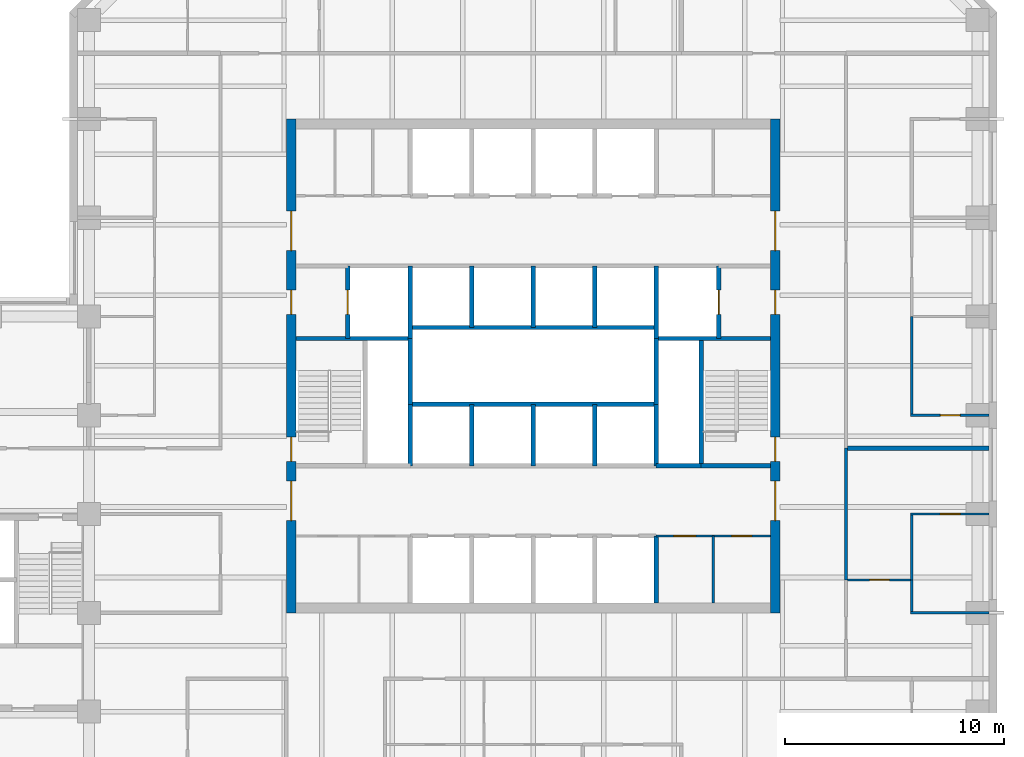
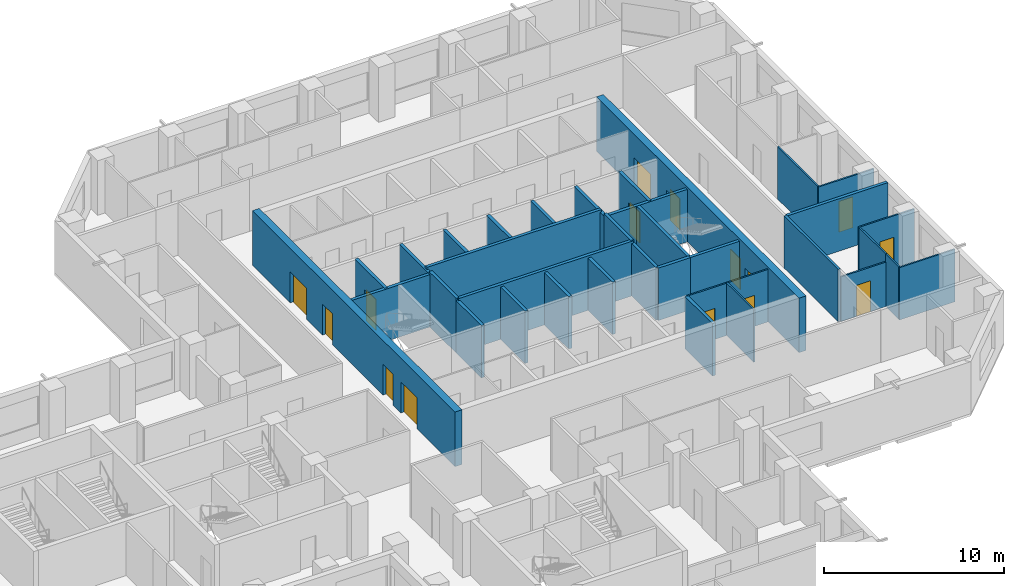
# One storey, part 7 of 11: 35 walls, 15 doors, 15 openings.
"""IFC4 building model written with IfcOpenShell, lengths in metres."""

from ifc_helpers import new_model, si_unit, direction, frame, frame_2d, origin, place, context, subcontext, project, spatial, rectangle, extrude, material, layer, layer_set, type_object, element, fill, save


model = new_model("IFC4")

# Units and contexts
model_context = context("Model", 3, precision=1e-05, world=origin(), true_north=direction((0.0, 1.0)))
body_context = subcontext(model_context, "Body", "Model", "MODEL_VIEW")
ifc_project = project(units=[si_unit("LENGTHUNIT", "METRE"), si_unit("AREAUNIT", "SQUARE_METRE"), si_unit("VOLUMEUNIT", "CUBIC_METRE"), si_unit("PLANEANGLEUNIT", "RADIAN"), si_unit("MASSUNIT", "GRAM", prefix="KILO")], contexts=[model_context])

# Site, building, storey
site_placement = place(None, origin())
site = spatial("IfcSite", under=ifc_project, at=site_placement, CompositionType="ELEMENT")
building_placement = place(site_placement, origin())
building = spatial("IfcBuilding", under=site, at=building_placement, Name="Quoin Convention Tower", CompositionType="ELEMENT")
storey_placement = place(building_placement, frame((0.0, 0.0, 108.5)))
storey = spatial("IfcBuildingStorey", under=building, at=storey_placement, Name="L28", CompositionType="ELEMENT", Elevation=108.5)

# Wall, openings, doors
ifc_material_1 = material(Name="Plasterboard")
ifc_layer_1 = layer(ifc_material_1, 0.012451171875, Name="Finish")
ifc_material_2 = material(Name="Steel stud framing", Category="steel")
ifc_layer_2 = layer(ifc_material_2, 0.074951171875, Name="Structure")
ifc_layer_3 = layer(ifc_material_1, 0.012451171875, Name="Finish")
ifc_layer_set_1 = layer_set([ifc_layer_1, ifc_layer_2, ifc_layer_3], Name="Steel stud framing")
wall_type_1 = type_object("IfcWallType", Name="Core partition wall", PredefinedType="PARTITIONING", material=ifc_layer_set_1)
wall_1_placement = place(storey_placement, frame((61.85009765625, 53.0, 0.0), z_axis=(0.0, 0.0, 1.0), x_axis=(1.0, 0.0, 0.0)))
wall_1 = element("IfcWall", 1, at=wall_1_placement, inside=storey, type_object=wall_type_1, Name="cr-C1-L28-h3500_16850", PredefinedType="PARTITIONING", context=body_context, shape_type="SweptSolid", body=[
    extrude(rectangle(XDim=5.199951171875, YDim=0.10009765625, at=frame_2d((2.60009765625, 0.0))), origin(), (0.0, 0.0, 1.0), 3.550048828125),
])
opening_1_placement = place(wall_1_placement, frame((3.449951171875, 0.0, 0.0)))
opening_1 = element("IfcOpeningElement", 2, at=opening_1_placement, cuts=wall_1, Name="Opening DCV4-24", PredefinedType="OPENING", context=body_context, shape_type="SweptSolid", body=[
    extrude(rectangle(XDim=0.89990234375, YDim=2.10009765625, at=frame_2d((0.449951171875, 1.050048828125))), frame((0.0, 0.06005859375, 0.0), z_axis=(0.0, -1.0, 0.0), x_axis=(1.0, 0.0, 0.0)), (0.0, 0.0, 1.0), 0.1201171875),
])
opening_2_placement = place(wall_1_placement, frame((0.800048828125, 0.0, 0.0)))
opening_2 = element("IfcOpeningElement", 3, at=opening_2_placement, cuts=wall_1, Name="Opening DCV4-22", PredefinedType="OPENING", context=body_context, shape_type="SweptSolid", body=[
    extrude(rectangle(XDim=1.0, YDim=2.10009765625, at=frame_2d((0.5, 1.050048828125))), frame((0.0, 0.06005859375, 0.0), z_axis=(0.0, -1.0, 0.0), x_axis=(1.0, 0.0, 0.0)), (0.0, 0.0, 1.0), 0.1201171875),
])
ifc_material_3 = material(Name="Steel door leaf", Category="steel")
door_type_1 = type_object("IfcDoorType", Name="Core room door 1000 x 2100", OperationType="SINGLE_SWING_LEFT", PredefinedType="DOOR", material=ifc_material_3)
door_1_placement = place(opening_2_placement, frame((1.0, 0.0, 0.0), z_axis=(0.0, 0.0, 1.0), x_axis=(-1.0, 0.0, 0.0)))
door_1 = element("IfcDoor", 4, at=door_1_placement, inside=storey, type_object=door_type_1, Name="cd-C1-L28-CSE1-lobA-CD2813", OperationType="SINGLE_SWING_RIGHT", OverallHeight=2.10009765625, OverallWidth=1.0, PredefinedType="DOOR", context=body_context, shape_type="SweptSolid", body=[
    extrude(rectangle(XDim=1.0, YDim=2.10009765625, at=frame_2d((0.5, 1.050048828125))), frame((0.0, 0.02490234375, 0.0), z_axis=(0.0, -1.0, 0.0), x_axis=(1.0, 0.0, 0.0)), (0.0, 0.0, 1.0), 0.050048828125),
])
fill(opening_2, door_1)
door_type_2 = type_object("IfcDoorType", Name="Core room door 900 x 2100", OperationType="SINGLE_SWING_LEFT", PredefinedType="DOOR", material=ifc_material_3)
door_2_placement = place(opening_1_placement, frame((0.89990234375, 0.0, 0.0), z_axis=(0.0, 0.0, 1.0), x_axis=(-1.0, 0.0, 0.0)))
door_2 = element("IfcDoor", 5, at=door_2_placement, inside=storey, type_object=door_type_2, Name="cd-C1-L28-CSE0-lobA-CD2812", OperationType="SINGLE_SWING_LEFT", OverallHeight=2.10009765625, OverallWidth=0.89990234375, PredefinedType="DOOR", context=body_context, shape_type="SweptSolid", body=[
    extrude(rectangle(XDim=0.89990234375, YDim=2.10009765625, at=frame_2d((0.449951171875, 1.050048828125))), frame((0.0, 0.02490234375, 0.0), z_axis=(0.0, -1.0, 0.0), x_axis=(1.0, 0.0, 0.0)), (0.0, 0.0, 1.0), 0.050048828125),
])
fill(opening_1, door_2)

# Walls
wall_2_placement = place(storey_placement, frame((64.449951171875, 49.949951171875, 0.0), z_axis=(0.0, 0.0, 1.0), x_axis=(0.0, 1.0, 0.0)))
element("IfcWall", 6, at=wall_2_placement, inside=storey, type_object=wall_type_1, Name="cr-C1-L28-v19450_450", PredefinedType="PARTITIONING", context=body_context, shape_type="SweptSolid", body=[
    extrude(rectangle(XDim=3.050048828125, YDim=0.10009765625, at=frame_2d((1.52490234375, 0.0))), origin(), (0.0, 0.0, 1.0), 3.550048828125),
])
ifc_material_4 = material(Name="Concrete C50", Category="concrete")
ifc_layer_4 = layer(ifc_material_4, 0.199951171875)
ifc_layer_set_2 = layer_set([ifc_layer_4], Name="Concrete C50")
wall_type_2 = type_object("IfcWallType", Name="Core shaft wall", PredefinedType="SOLIDWALL", material=ifc_layer_set_2)
wall_3_placement = place(storey_placement, frame((61.85009765625, 56.199951171875, 0.0), z_axis=(0.0, 0.0, 1.0), x_axis=(1.0, 0.0, 0.0)))
element("IfcWall", 7, at=wall_3_placement, inside=storey, type_object=wall_type_2, Name="cr-C1-L28-h6700_16850", PredefinedType="SOLIDWALL", context=body_context, shape_type="SweptSolid", body=[
    extrude(rectangle(XDim=2.0498046875, YDim=0.199951171875, at=frame_2d((1.02490234375, 0.0))), origin(), (0.0, 0.0, 1.0), 3.550048828125),
])
wall_4_placement = place(storey_placement, frame((63.89990234375, 56.199951171875, 0.0), z_axis=(0.0, 0.0, 1.0), x_axis=(1.0, 0.0, 0.0)))
element("IfcWall", 8, at=wall_4_placement, inside=storey, type_object=wall_type_2, Name="cr-C1-L28-h6700_18900", PredefinedType="SOLIDWALL", context=body_context, shape_type="SweptSolid", body=[
    extrude(rectangle(XDim=3.150146484375, YDim=0.199951171875, at=frame_2d((1.5751953125, 0.0))), origin(), (0.0, 0.0, 1.0), 3.550048828125),
])
for number, where, z_axis, x_axis, name in (
    (9, (45.449951171875, 62.0, 0.0), (0.0, 0.0, 1.0), (1.0, 0.0, 0.0), "cr-C1-L28-h12500_450"),
    (10, (61.85009765625, 62.0, 0.0), (0.0, 0.0, 1.0), (1.0, 0.0, 0.0), "cr-C1-L28-h12500_16850"),
):
    element("IfcWall", number, at=place(storey_placement, frame(where, z_axis=z_axis, x_axis=x_axis)), inside=storey, type_object=wall_type_2, Name=name, PredefinedType="SOLIDWALL", context=body_context, shape_type="SweptSolid", body=[
        extrude(rectangle(XDim=5.199951171875, YDim=0.199951171875, at=frame_2d((2.60009765625, 0.0))), origin(), (0.0, 0.0, 1.0), 3.550048828125),
    ])

# Wall, opening, door
wall_5_placement = place(storey_placement, frame((47.800048828125, 62.0, 0.0), z_axis=(0.0, 0.0, 1.0), x_axis=(0.0, 1.0, 0.0)))
wall_5 = element("IfcWall", 11, at=wall_5_placement, inside=storey, type_object=wall_type_2, Name="cr-C1-L28-v2800_12500", PredefinedType="SOLIDWALL", context=body_context, shape_type="SweptSolid", body=[
    extrude(rectangle(XDim=3.300048828125, YDim=0.199951171875, at=frame_2d((1.64990234375, 0.0))), origin(), (0.0, 0.0, 1.0), 3.550048828125),
])
opening_3_placement = place(wall_5_placement, frame((1.10009765625, 0.0, 0.0)))
opening_3 = element("IfcOpeningElement", 12, at=opening_3_placement, cuts=wall_5, Name="Opening LDFL1", PredefinedType="OPENING", context=body_context, shape_type="SweptSolid", body=[
    extrude(rectangle(XDim=1.10009765625, YDim=2.10009765625, at=frame_2d((0.550048828125, 1.050048828125))), frame((0.0, 0.10986328125, 0.0), z_axis=(0.0, -1.0, 0.0), x_axis=(1.0, 0.0, 0.0)), (0.0, 0.0, 1.0), 0.219970703125),
])
door_type_3 = type_object("IfcDoorType", Name="Lift landing door 1100 x 2100", OperationType="DOUBLE_DOOR_SLIDING", PredefinedType="DOOR", material=ifc_material_3)
door_3_placement = place(opening_3_placement, origin())
door_3 = element("IfcDoor", 13, at=door_3_placement, inside=storey, type_object=door_type_3, Name="cd-C1-L28-FLW-FFW-LDFL1", OperationType="DOUBLE_DOOR_SLIDING", OverallHeight=2.10009765625, OverallWidth=1.10009765625, PredefinedType="DOOR", context=body_context, shape_type="SweptSolid", body=[
    extrude(rectangle(XDim=1.10009765625, YDim=2.10009765625, at=frame_2d((0.550048828125, 1.050048828125))), frame((0.0, 0.02490234375, 0.0), z_axis=(0.0, -1.0, 0.0), x_axis=(1.0, 0.0, 0.0)), (0.0, 0.0, 1.0), 0.050048828125),
])
fill(opening_3, door_3)

# Walls
wall_6_placement = place(storey_placement, frame((50.64990234375, 56.199951171875, 0.0), z_axis=(0.0, 0.0, 1.0), x_axis=(0.0, 1.0, 0.0)))
element("IfcWall", 14, at=wall_6_placement, inside=storey, type_object=wall_type_2, Name="cr-C1-L28-v5650_6700", PredefinedType="SOLIDWALL", context=body_context, shape_type="SweptSolid", body=[
    extrude(rectangle(XDim=2.800048828125, YDim=0.199951171875, at=frame_2d((1.39990234375, 0.0))), origin(), (0.0, 0.0, 1.0), 3.550048828125),
])
wall_7_placement = place(storey_placement, frame((50.64990234375, 62.0, 0.0), z_axis=(0.0, 0.0, 1.0), x_axis=(0.0, 1.0, 0.0)))
element("IfcWall", 15, at=wall_7_placement, inside=storey, type_object=wall_type_2, Name="cr-C1-L28-v5650_12500", PredefinedType="SOLIDWALL", context=body_context, shape_type="SweptSolid", body=[
    extrude(rectangle(XDim=3.300048828125, YDim=0.199951171875, at=frame_2d((1.64990234375, 0.0))), origin(), (0.0, 0.0, 1.0), 3.550048828125),
])
for number, where, z_axis, x_axis, name in (
    (16, (53.449951171875, 56.199951171875, 0.0), (0.0, 0.0, 1.0), (0.0, 1.0, 0.0), "cr-C1-L28-v8450_6700"),
    (17, (53.449951171875, 62.5, 0.0), (0.0, 0.0, 1.0), (0.0, 1.0, 0.0), "cr-C1-L28-v8450_13000"),
    (18, (56.25, 56.199951171875, 0.0), (0.0, 0.0, 1.0), (0.0, 1.0, 0.0), "cr-C1-L28-v11250_6700"),
    (19, (56.25, 62.5, 0.0), (0.0, 0.0, 1.0), (0.0, 1.0, 0.0), "cr-C1-L28-v11250_13000"),
    (20, (59.050048828125, 56.199951171875, 0.0), (0.0, 0.0, 1.0), (0.0, 1.0, 0.0), "cr-C1-L28-v14050_6700"),
    (21, (59.050048828125, 62.5, 0.0), (0.0, 0.0, 1.0), (0.0, 1.0, 0.0), "cr-C1-L28-v14050_13000"),
):
    element("IfcWall", number, at=place(storey_placement, frame(where, z_axis=z_axis, x_axis=x_axis)), inside=storey, type_object=wall_type_2, Name=name, PredefinedType="SOLIDWALL", context=body_context, shape_type="SweptSolid", body=[
        extrude(rectangle(XDim=2.800048828125, YDim=0.199951171875, at=frame_2d((1.39990234375, 0.0))), origin(), (0.0, 0.0, 1.0), 3.550048828125),
    ])
wall_8_placement = place(storey_placement, frame((61.85009765625, 49.949951171875, 0.0), z_axis=(0.0, 0.0, 1.0), x_axis=(0.0, 1.0, 0.0)))
element("IfcWall", 22, at=wall_8_placement, inside=storey, type_object=wall_type_2, Name="cr-C1-L28-v16850_450", PredefinedType="SOLIDWALL", context=body_context, shape_type="SweptSolid", body=[
    extrude(rectangle(XDim=3.050048828125, YDim=0.199951171875, at=frame_2d((1.52490234375, 0.0))), origin(), (0.0, 0.0, 1.0), 3.550048828125),
])
wall_9_placement = place(storey_placement, frame((61.85009765625, 56.199951171875, 0.0), z_axis=(0.0, 0.0, 1.0), x_axis=(0.0, 1.0, 0.0)))
element("IfcWall", 23, at=wall_9_placement, inside=storey, type_object=wall_type_2, Name="cr-C1-L28-v16850_6700", PredefinedType="SOLIDWALL", context=body_context, shape_type="SweptSolid", body=[
    extrude(rectangle(XDim=2.800048828125, YDim=0.199951171875, at=frame_2d((1.39990234375, 0.0))), origin(), (0.0, 0.0, 1.0), 3.550048828125),
])
wall_10_placement = place(storey_placement, frame((61.85009765625, 62.0, 0.0), z_axis=(0.0, 0.0, 1.0), x_axis=(0.0, 1.0, 0.0)))
element("IfcWall", 24, at=wall_10_placement, inside=storey, type_object=wall_type_2, Name="cr-C1-L28-v16850_12500", PredefinedType="SOLIDWALL", context=body_context, shape_type="SweptSolid", body=[
    extrude(rectangle(XDim=3.300048828125, YDim=0.199951171875, at=frame_2d((1.64990234375, 0.0))), origin(), (0.0, 0.0, 1.0), 3.550048828125),
])
wall_11_placement = place(storey_placement, frame((63.89990234375, 56.199951171875, 0.0), z_axis=(0.0, 0.0, 1.0), x_axis=(0.0, 1.0, 0.0)))
element("IfcWall", 25, at=wall_11_placement, inside=storey, type_object=wall_type_2, Name="cr-C1-L28-v18900_6700", PredefinedType="SOLIDWALL", context=body_context, shape_type="SweptSolid", body=[
    extrude(rectangle(XDim=5.800048828125, YDim=0.199951171875, at=frame_2d((2.89990234375, 0.0))), origin(), (0.0, 0.0, 1.0), 3.550048828125),
])

# Wall, opening, door
wall_12_placement = place(storey_placement, frame((64.699951171875, 62.0, 0.0), z_axis=(0.0, 0.0, 1.0), x_axis=(0.0, 1.0, 0.0)))
wall_12 = element("IfcWall", 26, at=wall_12_placement, inside=storey, type_object=wall_type_2, Name="cr-C1-L28-v19700_12500", PredefinedType="SOLIDWALL", context=body_context, shape_type="SweptSolid", body=[
    extrude(rectangle(XDim=3.300048828125, YDim=0.199951171875, at=frame_2d((1.64990234375, 0.0))), origin(), (0.0, 0.0, 1.0), 3.550048828125),
])
opening_4_placement = place(wall_12_placement, frame((1.10009765625, 0.0, 0.0)))
opening_4 = element("IfcOpeningElement", 27, at=opening_4_placement, cuts=wall_12, Name="Opening LDFL2", PredefinedType="OPENING", context=body_context, shape_type="SweptSolid", body=[
    extrude(rectangle(XDim=1.10009765625, YDim=2.10009765625, at=frame_2d((0.550048828125, 1.050048828125))), frame((0.0, 0.10986328125, 0.0), z_axis=(0.0, -1.0, 0.0), x_axis=(1.0, 0.0, 0.0)), (0.0, 0.0, 1.0), 0.219970703125),
])
door_4_placement = place(opening_4_placement, origin())
door_4 = element("IfcDoor", 28, at=door_4_placement, inside=storey, type_object=door_type_3, Name="cd-C1-L28-FLE-FFE-LDFL2", OperationType="DOUBLE_DOOR_SLIDING", OverallHeight=2.10009765625, OverallWidth=1.10009765625, PredefinedType="DOOR", context=body_context, shape_type="SweptSolid", body=[
    extrude(rectangle(XDim=1.10009765625, YDim=2.10009765625, at=frame_2d((0.550048828125, 1.050048828125))), frame((0.0, 0.02490234375, 0.0), z_axis=(0.0, -1.0, 0.0), x_axis=(1.0, 0.0, 0.0)), (0.0, 0.0, 1.0), 0.050048828125),
])
fill(opening_4, door_4)

# Walls
ifc_layer_5 = layer(ifc_material_4, 0.199951171875)
ifc_layer_set_3 = layer_set([ifc_layer_5], Name="Concrete C50")
wall_type_3 = type_object("IfcWallType", Name="Core shaft wall to the floor level over", PredefinedType="SOLIDWALL", material=ifc_layer_set_3)
for number, where, z_axis, x_axis, name in (
    (29, (50.64990234375, 59.0, 0.0), (0.0, 0.0, 1.0), (1.0, 0.0, 0.0), "cr-C1-L28-h9500_5650"),
    (30, (50.64990234375, 62.5, 0.0), (0.0, 0.0, 1.0), (1.0, 0.0, 0.0), "cr-C1-L28-h13000_5650"),
):
    element("IfcWall", number, at=place(storey_placement, frame(where, z_axis=z_axis, x_axis=x_axis)), inside=storey, type_object=wall_type_3, Name=name, PredefinedType="SOLIDWALL", context=body_context, shape_type="SweptSolid", body=[
        extrude(rectangle(XDim=11.2001953125, YDim=0.199951171875, at=frame_2d((5.60009765625, 0.0))), origin(), (0.0, 0.0, 1.0), 3.699951171875),
    ])
for number, where, z_axis, x_axis, name in (
    (31, (50.64990234375, 59.0, 0.0), (0.0, 0.0, 1.0), (0.0, 1.0, 0.0), "cr-C1-L28-v5650_9500"),
    (32, (61.85009765625, 59.0, 0.0), (0.0, 0.0, 1.0), (0.0, 1.0, 0.0), "cr-C1-L28-v16850_9500"),
):
    element("IfcWall", number, at=place(storey_placement, frame(where, z_axis=z_axis, x_axis=x_axis)), inside=storey, type_object=wall_type_3, Name=name, PredefinedType="SOLIDWALL", context=body_context, shape_type="SweptSolid", body=[
        extrude(rectangle(XDim=3.0, YDim=0.199951171875, at=frame_2d((1.5, 0.0))), origin(), (0.0, 0.0, 1.0), 3.699951171875),
    ])
ifc_layer_6 = layer(ifc_material_1, 0.012451171875, Name="Finish")
ifc_layer_7 = layer(ifc_material_2, 0.125, Name="Structure")
ifc_layer_8 = layer(ifc_material_1, 0.012451171875, Name="Finish")
ifc_layer_set_4 = layer_set([ifc_layer_6, ifc_layer_7, ifc_layer_8], Name="Steel stud framing")
wall_type_4 = type_object("IfcWallType", Name="Corridor wall 150", PredefinedType="PARTITIONING", material=ifc_layer_set_4)
wall_13_placement = place(storey_placement, frame((70.5, 51.0, 0.0), z_axis=(0.0, 0.0, 1.0), x_axis=(0.0, 1.0, 0.0)))
element("IfcWall", 33, at=wall_13_placement, inside=storey, type_object=wall_type_4, Name="pw-L28-090", PredefinedType="PARTITIONING", context=body_context, shape_type="SweptSolid", body=[
    extrude(rectangle(XDim=6.0, YDim=0.14990234375, at=frame_2d((3.0, 0.0))), origin(), (0.0, 0.0, 1.0), 3.550048828125),
])

# Wall, openings, doors
ifc_material_5 = material(Name="Concrete C65", Category="concrete")
ifc_layer_9 = layer(ifc_material_5, 0.449951171875)
ifc_layer_set_5 = layer_set([ifc_layer_9], Name="Concrete C65")
wall_type_5 = type_object("IfcWallType", Name="RC CORE WALL 450 C65", PredefinedType="SHEAR", material=ifc_layer_set_5)
wall_14_placement = place(storey_placement, frame((45.22509765625, 49.5, 0.0), z_axis=(0.0, 0.0, 1.0), x_axis=(0.0, 1.0, 0.0)))
wall_14 = element("IfcWall", 34, at=wall_14_placement, inside=storey, type_object=wall_type_5, Name="cwl-C1-L28-W", PredefinedType="SHEAR", context=body_context, shape_type="SweptSolid", body=[
    extrude(rectangle(XDim=22.5, YDim=0.449951171875, at=frame_2d((11.25, 0.0))), origin(), (0.0, 0.0, 1.0), 3.699951171875),
])
opening_5_placement = place(wall_14_placement, frame((4.199951171875, 0.0, 0.0)))
opening_5 = element("IfcOpeningElement", 35, at=opening_5_placement, cuts=wall_14, Name="Opening DCV4-41", PredefinedType="OPENING", context=body_context, shape_type="SweptSolid", body=[
    extrude(rectangle(XDim=1.800048828125, YDim=2.10009765625, at=frame_2d((0.89990234375, 1.050048828125))), frame((0.0, 0.23486328125, 0.0), z_axis=(0.0, -1.0, 0.0), x_axis=(1.0, 0.0, 0.0)), (0.0, 0.0, 1.0), 0.469970703125),
])
opening_6_placement = place(wall_14_placement, frame((6.89990234375, 0.0, 0.0)))
opening_6 = element("IfcOpeningElement", 36, at=opening_6_placement, cuts=wall_14, Name="Opening SD1", PredefinedType="OPENING", context=body_context, shape_type="SweptSolid", body=[
    extrude(rectangle(XDim=1.10009765625, YDim=2.10009765625, at=frame_2d((0.550048828125, 1.050048828125))), frame((0.0, 0.23486328125, 0.0), z_axis=(0.0, -1.0, 0.0), x_axis=(1.0, 0.0, 0.0)), (0.0, 0.0, 1.0), 0.469970703125),
])
opening_7_placement = place(wall_14_placement, frame((13.60009765625, 0.0, 0.0)))
opening_7 = element("IfcOpeningElement", 37, at=opening_7_placement, cuts=wall_14, Name="Opening DCV4-40", PredefinedType="OPENING", context=body_context, shape_type="SweptSolid", body=[
    extrude(rectangle(XDim=1.10009765625, YDim=2.10009765625, at=frame_2d((0.550048828125, 1.050048828125))), frame((0.0, 0.23486328125, 0.0), z_axis=(0.0, -1.0, 0.0), x_axis=(1.0, 0.0, 0.0)), (0.0, 0.0, 1.0), 0.469970703125),
])
opening_8_placement = place(wall_14_placement, frame((16.5, 0.0, 0.0)))
opening_8 = element("IfcOpeningElement", 38, at=opening_8_placement, cuts=wall_14, Name="Opening DCV4-41", PredefinedType="OPENING", context=body_context, shape_type="SweptSolid", body=[
    extrude(rectangle(XDim=1.800048828125, YDim=2.10009765625, at=frame_2d((0.89990234375, 1.050048828125))), frame((0.0, 0.23486328125, 0.0), z_axis=(0.0, -1.0, 0.0), x_axis=(1.0, 0.0, 0.0)), (0.0, 0.0, 1.0), 0.469970703125),
])
door_type_4 = type_object("IfcDoorType", Name="Fire-fighting lobby door 1100 x 2100", OperationType="SINGLE_SWING_LEFT", PredefinedType="DOOR", material=ifc_material_3)
door_5_placement = place(opening_7_placement, frame((1.10009765625, 0.0, 0.0), z_axis=(0.0, 0.0, 1.0), x_axis=(-1.0, 0.0, 0.0)))
door_5 = element("IfcDoor", 39, at=door_5_placement, inside=storey, type_object=door_type_4, Name="cd-C1-L28-FFW-W", OperationType="SINGLE_SWING_LEFT", OverallHeight=2.10009765625, OverallWidth=1.10009765625, PredefinedType="DOOR", context=body_context, shape_type="SweptSolid", body=[
    extrude(rectangle(XDim=1.10009765625, YDim=2.10009765625, at=frame_2d((0.550048828125, 1.050048828125))), frame((0.0, 0.02490234375, 0.0), z_axis=(0.0, -1.0, 0.0), x_axis=(1.0, 0.0, 0.0)), (0.0, 0.0, 1.0), 0.050048828125),
])
fill(opening_7, door_5)
door_type_5 = type_object("IfcDoorType", Name="Lift lobby door 1800 x 2100", OperationType="SINGLE_SWING_LEFT", PredefinedType="DOOR", material=ifc_material_3)
door_6_placement = place(opening_5_placement, frame((1.800048828125, 0.0, 0.0), z_axis=(0.0, 0.0, 1.0), x_axis=(-1.0, 0.0, 0.0)))
door_6 = element("IfcDoor", 40, at=door_6_placement, inside=storey, type_object=door_type_5, Name="cd-C1-L28-lobA-W", OperationType="SINGLE_SWING_LEFT", OverallHeight=2.10009765625, OverallWidth=1.800048828125, PredefinedType="DOOR", context=body_context, shape_type="SweptSolid", body=[
    extrude(rectangle(XDim=1.800048828125, YDim=2.10009765625, at=frame_2d((0.89990234375, 1.050048828125))), frame((0.0, 0.02490234375, 0.0), z_axis=(0.0, -1.0, 0.0), x_axis=(1.0, 0.0, 0.0)), (0.0, 0.0, 1.0), 0.050048828125),
])
fill(opening_5, door_6)
door_7_placement = place(opening_8_placement, frame((1.800048828125, 0.0, 0.0), z_axis=(0.0, 0.0, 1.0), x_axis=(-1.0, 0.0, 0.0)))
door_7 = element("IfcDoor", 41, at=door_7_placement, inside=storey, type_object=door_type_5, Name="cd-C1-L28-lobB-W", OperationType="SINGLE_SWING_LEFT", OverallHeight=2.10009765625, OverallWidth=1.800048828125, PredefinedType="DOOR", context=body_context, shape_type="SweptSolid", body=[
    extrude(rectangle(XDim=1.800048828125, YDim=2.10009765625, at=frame_2d((0.89990234375, 1.050048828125))), frame((0.0, 0.02490234375, 0.0), z_axis=(0.0, -1.0, 0.0), x_axis=(1.0, 0.0, 0.0)), (0.0, 0.0, 1.0), 0.050048828125),
])
fill(opening_8, door_7)
door_type_6 = type_object("IfcDoorType", Name="Stair door 1100 x 2100", OperationType="SINGLE_SWING_RIGHT", PredefinedType="DOOR", material=ifc_material_3)
door_8_placement = place(opening_6_placement, frame((1.10009765625, 0.0, 0.0), z_axis=(0.0, 0.0, 1.0), x_axis=(-1.0, 0.0, 0.0)))
door_8 = element("IfcDoor", 42, at=door_8_placement, inside=storey, type_object=door_type_6, Name="cd-C1-L28-STW-W", OperationType="SINGLE_SWING_RIGHT", OverallHeight=2.10009765625, OverallWidth=1.10009765625, PredefinedType="DOOR", context=body_context, shape_type="SweptSolid", body=[
    extrude(rectangle(XDim=1.10009765625, YDim=2.10009765625, at=frame_2d((0.550048828125, 1.050048828125))), frame((0.0, 0.02490234375, 0.0), z_axis=(0.0, -1.0, 0.0), x_axis=(1.0, 0.0, 0.0)), (0.0, 0.0, 1.0), 0.050048828125),
])
fill(opening_6, door_8)

wall_15_placement = place(storey_placement, frame((67.27490234375, 49.5, 0.0), z_axis=(0.0, 0.0, 1.0), x_axis=(0.0, 1.0, 0.0)))
wall_15 = element("IfcWall", 43, at=wall_15_placement, inside=storey, type_object=wall_type_5, Name="cwl-C1-L28-E", PredefinedType="SHEAR", context=body_context, shape_type="SweptSolid", body=[
    extrude(rectangle(XDim=22.5, YDim=0.449951171875, at=frame_2d((11.25, 0.0))), origin(), (0.0, 0.0, 1.0), 3.699951171875),
])
opening_9_placement = place(wall_15_placement, frame((4.199951171875, 0.0, 0.0)))
opening_9 = element("IfcOpeningElement", 44, at=opening_9_placement, cuts=wall_15, Name="Opening DCV4-39", PredefinedType="OPENING", context=body_context, shape_type="SweptSolid", body=[
    extrude(rectangle(XDim=1.800048828125, YDim=2.10009765625, at=frame_2d((0.89990234375, 1.050048828125))), frame((0.0, 0.23486328125, 0.0), z_axis=(0.0, -1.0, 0.0), x_axis=(1.0, 0.0, 0.0)), (0.0, 0.0, 1.0), 0.469970703125),
])
opening_10_placement = place(wall_15_placement, frame((6.89990234375, 0.0, 0.0)))
opening_10 = element("IfcOpeningElement", 45, at=opening_10_placement, cuts=wall_15, Name="Opening SD2", PredefinedType="OPENING", context=body_context, shape_type="SweptSolid", body=[
    extrude(rectangle(XDim=1.10009765625, YDim=2.10009765625, at=frame_2d((0.550048828125, 1.050048828125))), frame((0.0, 0.23486328125, 0.0), z_axis=(0.0, -1.0, 0.0), x_axis=(1.0, 0.0, 0.0)), (0.0, 0.0, 1.0), 0.469970703125),
])
opening_11_placement = place(wall_15_placement, frame((13.60009765625, 0.0, 0.0)))
opening_11 = element("IfcOpeningElement", 46, at=opening_11_placement, cuts=wall_15, Name="Opening DCV4-38", PredefinedType="OPENING", context=body_context, shape_type="SweptSolid", body=[
    extrude(rectangle(XDim=1.10009765625, YDim=2.10009765625, at=frame_2d((0.550048828125, 1.050048828125))), frame((0.0, 0.23486328125, 0.0), z_axis=(0.0, -1.0, 0.0), x_axis=(1.0, 0.0, 0.0)), (0.0, 0.0, 1.0), 0.469970703125),
])
opening_12_placement = place(wall_15_placement, frame((16.5, 0.0, 0.0)))
opening_12 = element("IfcOpeningElement", 47, at=opening_12_placement, cuts=wall_15, Name="Opening DCV4-39", PredefinedType="OPENING", context=body_context, shape_type="SweptSolid", body=[
    extrude(rectangle(XDim=1.800048828125, YDim=2.10009765625, at=frame_2d((0.89990234375, 1.050048828125))), frame((0.0, 0.23486328125, 0.0), z_axis=(0.0, -1.0, 0.0), x_axis=(1.0, 0.0, 0.0)), (0.0, 0.0, 1.0), 0.469970703125),
])
door_9_placement = place(opening_11_placement, origin())
door_9 = element("IfcDoor", 48, at=door_9_placement, inside=storey, type_object=door_type_4, Name="cd-C1-L28-FFE-E", OperationType="SINGLE_SWING_RIGHT", OverallHeight=2.10009765625, OverallWidth=1.10009765625, PredefinedType="DOOR", context=body_context, shape_type="SweptSolid", body=[
    extrude(rectangle(XDim=1.10009765625, YDim=2.10009765625, at=frame_2d((0.550048828125, 1.050048828125))), frame((0.0, 0.02490234375, 0.0), z_axis=(0.0, -1.0, 0.0), x_axis=(1.0, 0.0, 0.0)), (0.0, 0.0, 1.0), 0.050048828125),
])
fill(opening_11, door_9)
door_10_placement = place(opening_9_placement, origin())
door_10 = element("IfcDoor", 49, at=door_10_placement, inside=storey, type_object=door_type_5, Name="cd-C1-L28-lobA-E", OperationType="SINGLE_SWING_RIGHT", OverallHeight=2.10009765625, OverallWidth=1.800048828125, PredefinedType="DOOR", context=body_context, shape_type="SweptSolid", body=[
    extrude(rectangle(XDim=1.800048828125, YDim=2.10009765625, at=frame_2d((0.89990234375, 1.050048828125))), frame((0.0, 0.02490234375, 0.0), z_axis=(0.0, -1.0, 0.0), x_axis=(1.0, 0.0, 0.0)), (0.0, 0.0, 1.0), 0.050048828125),
])
fill(opening_9, door_10)
door_11_placement = place(opening_12_placement, origin())
door_11 = element("IfcDoor", 50, at=door_11_placement, inside=storey, type_object=door_type_5, Name="cd-C1-L28-lobB-E", OperationType="SINGLE_SWING_RIGHT", OverallHeight=2.10009765625, OverallWidth=1.800048828125, PredefinedType="DOOR", context=body_context, shape_type="SweptSolid", body=[
    extrude(rectangle(XDim=1.800048828125, YDim=2.10009765625, at=frame_2d((0.89990234375, 1.050048828125))), frame((0.0, 0.02490234375, 0.0), z_axis=(0.0, -1.0, 0.0), x_axis=(1.0, 0.0, 0.0)), (0.0, 0.0, 1.0), 0.050048828125),
])
fill(opening_12, door_11)
door_12_placement = place(opening_10_placement, origin())
door_12 = element("IfcDoor", 51, at=door_12_placement, inside=storey, type_object=door_type_6, Name="cd-C1-L28-STE-E", OperationType="SINGLE_SWING_LEFT", OverallHeight=2.10009765625, OverallWidth=1.10009765625, PredefinedType="DOOR", context=body_context, shape_type="SweptSolid", body=[
    extrude(rectangle(XDim=1.10009765625, YDim=2.10009765625, at=frame_2d((0.550048828125, 1.050048828125))), frame((0.0, 0.02490234375, 0.0), z_axis=(0.0, -1.0, 0.0), x_axis=(1.0, 0.0, 0.0)), (0.0, 0.0, 1.0), 0.050048828125),
])
fill(opening_10, door_12)

# Wall
ifc_layer_10 = layer(ifc_material_1, 0.012451171875, Name="Finish")
ifc_layer_11 = layer(ifc_material_2, 0.074951171875, Name="Structure")
ifc_layer_12 = layer(ifc_material_1, 0.012451171875, Name="Finish")
ifc_layer_set_6 = layer_set([ifc_layer_10, ifc_layer_11, ifc_layer_12], Name="Steel stud framing")
wall_type_6 = type_object("IfcWallType", Name="Stud partition 100", PredefinedType="PARTITIONING", material=ifc_layer_set_6)
wall_16_placement = place(storey_placement, frame((73.449951171875, 49.5, 0.0), z_axis=(0.0, 0.0, 1.0), x_axis=(1.0, 0.0, 0.0)))
element("IfcWall", 52, at=wall_16_placement, inside=storey, type_object=wall_type_6, Name="pw-L28-027", PredefinedType="PARTITIONING", context=body_context, shape_type="SweptSolid", body=[
    extrude(rectangle(XDim=3.574951171875, YDim=0.10009765625, at=frame_2d((1.78759765625, 0.0))), origin(), (0.0, 0.0, 1.0), 3.550048828125),
])

# Wall, opening, door
wall_17_placement = place(storey_placement, frame((73.449951171875, 54.0, 0.0), z_axis=(0.0, 0.0, 1.0), x_axis=(1.0, 0.0, 0.0)))
wall_17 = element("IfcWall", 53, at=wall_17_placement, inside=storey, type_object=wall_type_6, Name="pw-L28-032", PredefinedType="PARTITIONING", context=body_context, shape_type="SweptSolid", body=[
    extrude(rectangle(XDim=3.574951171875, YDim=0.10009765625, at=frame_2d((1.78759765625, 0.0))), origin(), (0.0, 0.0, 1.0), 3.550048828125),
])
opening_13_placement = place(wall_17_placement, frame((1.35009765625, 0.0, 0.0)))
opening_13 = element("IfcOpeningElement", 54, at=opening_13_placement, cuts=wall_17, Name="Opening DOL5-10", PredefinedType="OPENING", context=body_context, shape_type="SweptSolid", body=[
    extrude(rectangle(XDim=0.89990234375, YDim=2.10009765625, at=frame_2d((0.449951171875, 1.050048828125))), frame((0.0, 0.06005859375, 0.0), z_axis=(0.0, -1.0, 0.0), x_axis=(1.0, 0.0, 0.0)), (0.0, 0.0, 1.0), 0.1201171875),
])
door_type_7 = type_object("IfcDoorType", Name="Office door 900 x 2100", OperationType="SINGLE_SWING_RIGHT", PredefinedType="DOOR", material=ifc_material_3)
door_13_placement = place(opening_13_placement, origin())
door_13 = element("IfcDoor", 55, at=door_13_placement, inside=storey, type_object=door_type_7, Name="dr-L28-30", OperationType="SINGLE_SWING_RIGHT", OverallHeight=2.10009765625, OverallWidth=0.89990234375, PredefinedType="DOOR", context=body_context, shape_type="SweptSolid", body=[
    extrude(rectangle(XDim=0.89990234375, YDim=2.10009765625, at=frame_2d((0.449951171875, 1.050048828125))), frame((0.0, 0.02490234375, 0.0), z_axis=(0.0, -1.0, 0.0), x_axis=(1.0, 0.0, 0.0)), (0.0, 0.0, 1.0), 0.050048828125),
])
fill(opening_13, door_13)

wall_18_placement = place(storey_placement, frame((73.449951171875, 58.5, 0.0), z_axis=(0.0, 0.0, 1.0), x_axis=(1.0, 0.0, 0.0)))
wall_18 = element("IfcWall", 56, at=wall_18_placement, inside=storey, type_object=wall_type_6, Name="pw-L28-039", PredefinedType="PARTITIONING", context=body_context, shape_type="SweptSolid", body=[
    extrude(rectangle(XDim=3.574951171875, YDim=0.10009765625, at=frame_2d((1.78759765625, 0.0))), origin(), (0.0, 0.0, 1.0), 3.550048828125),
])
opening_14_placement = place(wall_18_placement, frame((1.35009765625, 0.0, 0.0)))
opening_14 = element("IfcOpeningElement", 57, at=opening_14_placement, cuts=wall_18, Name="Opening DOL5-14", PredefinedType="OPENING", context=body_context, shape_type="SweptSolid", body=[
    extrude(rectangle(XDim=0.89990234375, YDim=2.10009765625, at=frame_2d((0.449951171875, 1.050048828125))), frame((0.0, 0.06005859375, 0.0), z_axis=(0.0, -1.0, 0.0), x_axis=(1.0, 0.0, 0.0)), (0.0, 0.0, 1.0), 0.1201171875),
])
door_14_placement = place(opening_14_placement, frame((0.89990234375, 0.0, 0.0), z_axis=(0.0, 0.0, 1.0), x_axis=(-1.0, 0.0, 0.0)))
door_14 = element("IfcDoor", 58, at=door_14_placement, inside=storey, type_object=door_type_7, Name="dr-L28-43", OperationType="SINGLE_SWING_LEFT", OverallHeight=2.10009765625, OverallWidth=0.89990234375, PredefinedType="DOOR", context=body_context, shape_type="SweptSolid", body=[
    extrude(rectangle(XDim=0.89990234375, YDim=2.10009765625, at=frame_2d((0.449951171875, 1.050048828125))), frame((0.0, 0.02490234375, 0.0), z_axis=(0.0, -1.0, 0.0), x_axis=(1.0, 0.0, 0.0)), (0.0, 0.0, 1.0), 0.050048828125),
])
fill(opening_14, door_14)

# Walls
wall_19_placement = place(storey_placement, frame((73.5, 49.550048828125, 0.0), z_axis=(0.0, 0.0, 1.0), x_axis=(0.0, 1.0, 0.0)))
element("IfcWall", 59, at=wall_19_placement, inside=storey, type_object=wall_type_6, Name="pw-L28-087", PredefinedType="PARTITIONING", context=body_context, shape_type="SweptSolid", body=[
    extrude(rectangle(XDim=1.449951171875, YDim=0.10009765625, at=frame_2d((0.72509765625, 0.0))), origin(), (0.0, 0.0, 1.0), 3.550048828125),
])
wall_20_placement = place(storey_placement, frame((73.5, 51.0, 0.0), z_axis=(0.0, 0.0, 1.0), x_axis=(0.0, 1.0, 0.0)))
element("IfcWall", 60, at=wall_20_placement, inside=storey, type_object=wall_type_6, Name="pw-L28-091", PredefinedType="PARTITIONING", context=body_context, shape_type="SweptSolid", body=[
    extrude(rectangle(XDim=2.949951171875, YDim=0.10009765625, at=frame_2d((1.47509765625, 0.0))), origin(), (0.0, 0.0, 1.0), 3.550048828125),
])
wall_21_placement = place(storey_placement, frame((73.5, 58.550048828125, 0.0), z_axis=(0.0, 0.0, 1.0), x_axis=(0.0, 1.0, 0.0)))
element("IfcWall", 61, at=wall_21_placement, inside=storey, type_object=wall_type_6, Name="pw-L28-099", PredefinedType="PARTITIONING", context=body_context, shape_type="SweptSolid", body=[
    extrude(rectangle(XDim=4.449951171875, YDim=0.10009765625, at=frame_2d((2.22509765625, 0.0))), origin(), (0.0, 0.0, 1.0), 3.550048828125),
])

# Wall, opening, door
ifc_layer_13 = layer(ifc_material_1, 0.012451171875, Name="Finish")
ifc_layer_14 = layer(ifc_material_2, 0.074951171875, Name="Structure")
ifc_layer_15 = layer(ifc_material_1, 0.012451171875, Name="Finish")
ifc_layer_set_7 = layer_set([ifc_layer_13, ifc_layer_14, ifc_layer_15], Name="Steel stud framing")
wall_type_7 = type_object("IfcWallType", Name="Stud partition 100 under beam 528", PredefinedType="PARTITIONING", material=ifc_layer_set_7)
wall_22_placement = place(storey_placement, frame((70.574951171875, 51.0, 0.0), z_axis=(0.0, 0.0, 1.0), x_axis=(1.0, 0.0, 0.0)))
wall_22 = element("IfcWall", 62, at=wall_22_placement, inside=storey, type_object=wall_type_7, Name="pw-L28-029", PredefinedType="PARTITIONING", context=body_context, shape_type="SweptSolid", body=[
    extrude(rectangle(XDim=2.875, YDim=0.10009765625, at=frame_2d((1.4375, 0.0))), origin(), (0.0, 0.0, 1.0), 3.02197265625),
])
opening_15_placement = place(wall_22_placement, frame((1.0, 0.0, 0.0)))
opening_15 = element("IfcOpeningElement", 63, at=opening_15_placement, cuts=wall_22, Name="Opening DOL5-09", PredefinedType="OPENING", context=body_context, shape_type="SweptSolid", body=[
    extrude(rectangle(XDim=0.89990234375, YDim=2.10009765625, at=frame_2d((0.449951171875, 1.050048828125))), frame((0.0, 0.06005859375, 0.0), z_axis=(0.0, -1.0, 0.0), x_axis=(1.0, 0.0, 0.0)), (0.0, 0.0, 1.0), 0.1201171875),
])
door_15_placement = place(opening_15_placement, origin())
door_15 = element("IfcDoor", 64, at=door_15_placement, inside=storey, type_object=door_type_7, Name="dr-L28-29", OperationType="SINGLE_SWING_RIGHT", OverallHeight=2.10009765625, OverallWidth=0.89990234375, PredefinedType="DOOR", context=body_context, shape_type="SweptSolid", body=[
    extrude(rectangle(XDim=0.89990234375, YDim=2.10009765625, at=frame_2d((0.449951171875, 1.050048828125))), frame((0.0, 0.02490234375, 0.0), z_axis=(0.0, -1.0, 0.0), x_axis=(1.0, 0.0, 0.0)), (0.0, 0.0, 1.0), 0.050048828125),
])
fill(opening_15, door_15)

# Wall
ifc_layer_16 = layer(ifc_material_1, 0.012451171875, Name="Finish")
ifc_layer_17 = layer(ifc_material_2, 0.175048828125, Name="Structure")
ifc_layer_18 = layer(ifc_material_1, 0.012451171875, Name="Finish")
ifc_layer_set_8 = layer_set([ifc_layer_16, ifc_layer_17, ifc_layer_18], Name="Steel stud framing")
wall_type_8 = type_object("IfcWallType", Name="Tenancy demising wall 200", PredefinedType="PARTITIONING", material=ifc_layer_set_8)
wall_23_placement = place(storey_placement, frame((70.574951171875, 57.0, 0.0), z_axis=(0.0, 0.0, 1.0), x_axis=(1.0, 0.0, 0.0)))
element("IfcWall", 65, at=wall_23_placement, inside=storey, type_object=wall_type_8, Name="pw-L28-036", PredefinedType="PARTITIONING", context=body_context, shape_type="SweptSolid", body=[
    extrude(rectangle(XDim=6.449951171875, YDim=0.199951171875, at=frame_2d((3.22509765625, 0.0))), origin(), (0.0, 0.0, 1.0), 3.550048828125),
])

save(model, "model.ifc")
